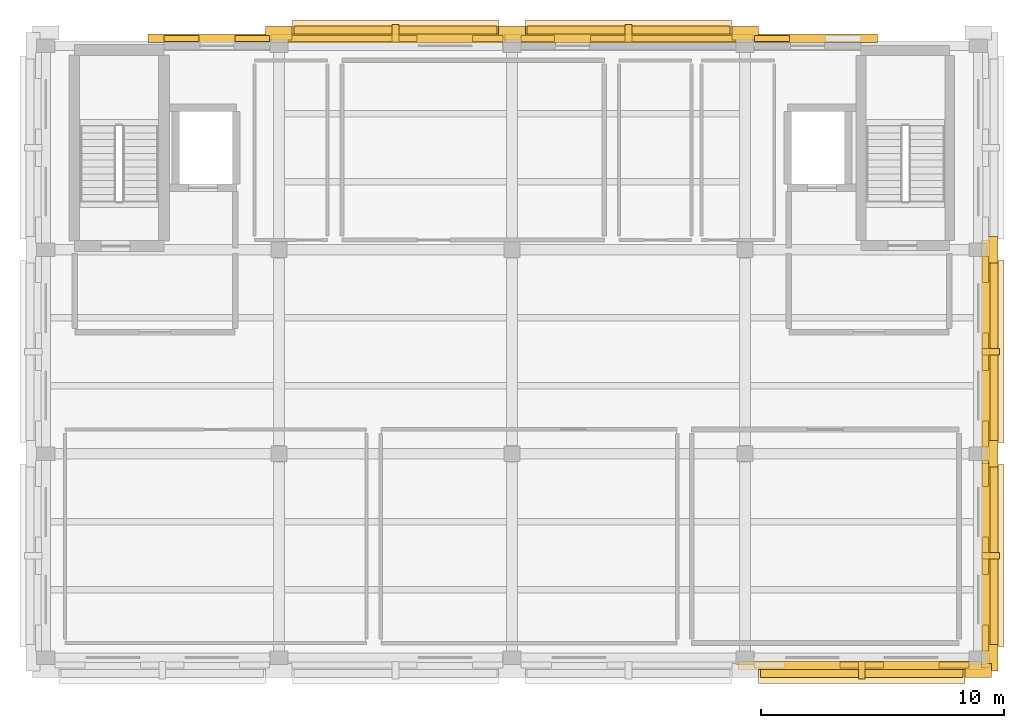
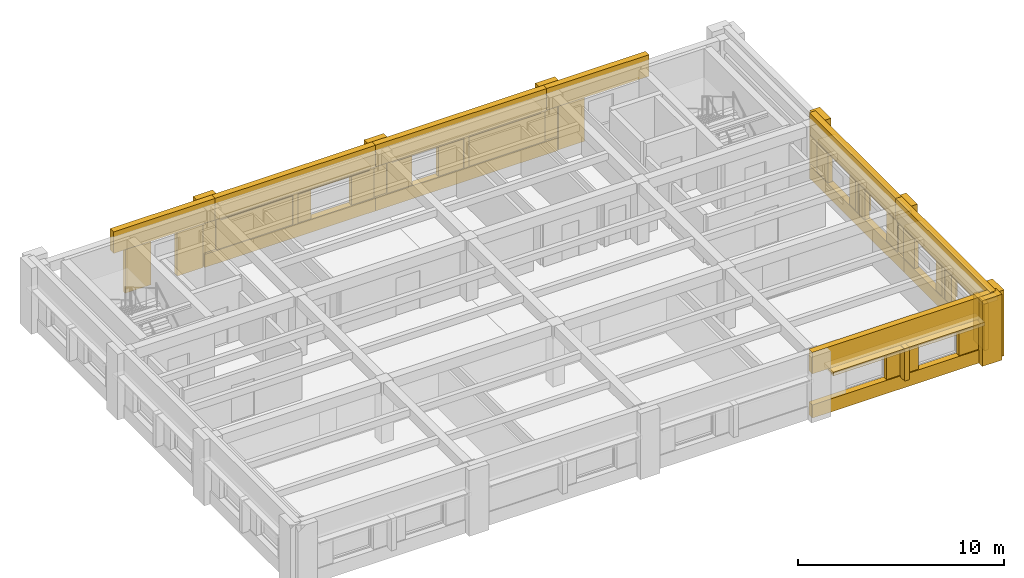
# One storey, part 6 of 7: 44 coverings, 5 shading devices.
"""IFC4 building model written with IfcOpenShell, lengths in metres."""

from ifc_helpers import new_model, si_unit, direction, frame, origin, origin_2d, place, context, subcontext, project, spatial, rectangle, extrude, material, layer, layer_set, type_object, element, save


model = new_model("IFC4")

# Units and contexts
model_context = context("Model", 3, precision=1e-05, world=origin(), true_north=direction((0.0, 1.0)))
body_context = subcontext(model_context, "Body", "Model", "MODEL_VIEW")
ifc_project = project(units=[si_unit("LENGTHUNIT", "METRE"), si_unit("AREAUNIT", "SQUARE_METRE"), si_unit("VOLUMEUNIT", "CUBIC_METRE"), si_unit("PLANEANGLEUNIT", "RADIAN"), si_unit("MASSUNIT", "GRAM", prefix="KILO")], contexts=[model_context])

# Site, building, storey
site_placement = place(None, origin())
site = spatial("IfcSite", under=ifc_project, at=site_placement, CompositionType="ELEMENT")
building_placement = place(site_placement, origin())
building = spatial("IfcBuilding", under=site, at=building_placement, Name="Bempovik Park Faculty of Sciences", CompositionType="ELEMENT")
storey_placement = place(building_placement, frame((0.0, 0.0, 42.300048828125)))
storey = spatial("IfcBuildingStorey", under=building, at=storey_placement, Name="L10", CompositionType="ELEMENT", Elevation=42.300048828125)

# Coverings
ifc_material_1 = material(Name="Precast concrete C40/50", Category="concrete")
ifc_layer_1 = layer(ifc_material_1, 0.179931640625)
ifc_layer_set_1 = layer_set([ifc_layer_1], Name="Precast concrete C40/50")
covering_type_1 = type_object("IfcCoveringType", Name="CL-02 Classical Cornice Band 180mm", PredefinedType="CLADDING", material=ifc_layer_set_1)
for number, where, z_axis, x_axis, name in (
    (1, (108.60009765625, 98.39990234375, 2.60986328125), (0.0, 0.0, 1.0), (1.0, 0.0, 0.0), "L10 Classical Stone Solar Window Hood EW-L10-11137"),
    (2, (108.60009765625, 106.800048828125, 2.60986328125), (0.0, 0.0, 1.0), (1.0, 0.0, 0.0), "L10 Classical Stone Solar Window Hood EW-L10-11150"),
):
    element("IfcCovering", number, at=place(storey_placement, frame(where, z_axis=z_axis, x_axis=x_axis)), inside=storey, type_object=covering_type_1, Name=name, PredefinedType="CLADDING", context=body_context, shape_type="SweptSolid", body=[
        extrude(rectangle(XDim=0.919921875, YDim=7.49609375, at=origin_2d()), origin(), (0.0, 0.0, 1.0), 0.219970703125),
    ])
for number, where, z_axis, x_axis, name in (
    (3, (84.0, 120.0, 2.56005859375), (0.0, 0.0, 1.0), (1.0, 0.0, 0.0), "L10 Classical Stone Solar Window Hood EW-L10-11181"),
    (4, (93.60009765625, 120.0, 2.60986328125), (0.0, 0.0, 1.0), (1.0, 0.0, 0.0), "L10 Classical Stone Solar Window Hood EW-L10-11191"),
    (5, (103.199951171875, 93.60009765625, 2.56005859375), (0.0, 0.0, 1.0), (1.0, 0.0, 0.0), "L10 Classical Stone Solar Window Hood EW-L10-11277"),
):
    element("IfcCovering", number, at=place(storey_placement, frame(where, z_axis=z_axis, x_axis=x_axis)), inside=storey, type_object=covering_type_1, Name=name, PredefinedType="CLADDING", context=body_context, shape_type="SweptSolid", body=[
        extrude(rectangle(XDim=8.49609375, YDim=0.919921875, at=origin_2d()), origin(), (0.0, 0.0, 1.0), 0.219970703125),
    ])
ifc_material_2 = material(Name="White reconstituted limestone precast C40/50", Category="masonry")
ifc_layer_2 = layer(ifc_material_2, 0.239990234375)
ifc_layer_set_2 = layer_set([ifc_layer_2], Name="White reconstituted limestone precast C40/50")
covering_type_2 = type_object("IfcCoveringType", Name="CL-03 Classical Fluted Limestone Pilaster 240mm", PredefinedType="CLADDING", material=ifc_layer_set_2)
covering_1_placement = place(storey_placement, frame((108.31005859375, 98.39990234375, 2.6201171875), z_axis=(0.0, 0.0, 1.0), x_axis=(1.0, 0.0, 0.0)))
element("IfcCovering", 6, at=covering_1_placement, inside=storey, type_object=covering_type_2, Name="L10 Classical Limestone Spandrel Entablature EW-L10-11137", PredefinedType="CLADDING", context=body_context, shape_type="SweptSolid", body=[
    extrude(rectangle(XDim=0.340087890625, YDim=9.196044921875, at=origin_2d()), origin(), (0.0, 0.0, 1.0), 1.280029296875),
])
covering_2_placement = place(storey_placement, frame((108.31005859375, 98.39990234375, 0.0), z_axis=(0.0, 0.0, 1.0), x_axis=(1.0, 0.0, 0.0)))
element("IfcCovering", 7, at=covering_2_placement, inside=storey, type_object=covering_type_2, Name="L10 Classical Limestone Sill Dado EW-L10-11137", PredefinedType="CLADDING", context=body_context, shape_type="SweptSolid", body=[
    extrude(rectangle(XDim=0.340087890625, YDim=9.196044921875, at=origin_2d()), origin(), (0.0, 0.0, 1.0), 0.780029296875),
])
for number, where, z_axis, x_axis, name in (
    (8, (108.530029296875, 94.199951171875, 0.0), (0.0, 0.0, 1.0), (1.0, 0.0, 0.0), "L10 Classical Fluted Stone Pilaster PIL-BA-L10-1085-942"),
    (9, (108.530029296875, 102.60009765625, 0.0), (0.0, 0.0, 1.0), (1.0, 0.0, 0.0), "L10 Classical Fluted Stone Pilaster PIL-BA-L10-1085-1026"),
):
    element("IfcCovering", number, at=place(storey_placement, frame(where, z_axis=z_axis, x_axis=x_axis)), inside=storey, type_object=covering_type_2, Name=name, PredefinedType="CLADDING", context=body_context, shape_type="SweptSolid", body=[
        extrude(rectangle(XDim=0.580078125, YDim=1.10009765625, at=origin_2d()), origin(), (0.0, 0.0, 1.0), 3.89990234375),
    ])
covering_3_placement = place(storey_placement, frame((108.300048828125, 95.01611328125, 0.0), z_axis=(0.0, 0.0, 1.0), x_axis=(1.0, 0.0, 0.0)))
element("IfcCovering", 10, at=covering_3_placement, inside=storey, type_object=covering_type_2, Name="L10 White Limestone Wall Cheek EW-L10-11137-0", PredefinedType="CLADDING", context=body_context, shape_type="SweptSolid", body=[
    extrude(rectangle(XDim=0.239990234375, YDim=1.078369140625, at=origin_2d()), origin(), (0.0, 0.0, 1.0), 2.780029296875),
])
covering_4_placement = place(storey_placement, frame((108.300048828125, 98.39990234375, 0.0), z_axis=(0.0, 0.0, 1.0), x_axis=(1.0, 0.0, 0.0)))
element("IfcCovering", 11, at=covering_4_placement, inside=storey, type_object=covering_type_2, Name="L10 White Limestone Wall Cheek EW-L10-11137-2", PredefinedType="CLADDING", context=body_context, shape_type="SweptSolid", body=[
    extrude(rectangle(XDim=0.239990234375, YDim=1.529296875, at=origin_2d()), origin(), (0.0, 0.0, 1.0), 2.780029296875),
])
covering_5_placement = place(storey_placement, frame((108.300048828125, 101.78369140625, 0.0), z_axis=(0.0, 0.0, 1.0), x_axis=(1.0, 0.0, 0.0)))
element("IfcCovering", 12, at=covering_5_placement, inside=storey, type_object=covering_type_2, Name="L10 White Limestone Wall Cheek EW-L10-11137-4", PredefinedType="CLADDING", context=body_context, shape_type="SweptSolid", body=[
    extrude(rectangle(XDim=0.239990234375, YDim=1.078369140625, at=origin_2d()), origin(), (0.0, 0.0, 1.0), 2.780029296875),
])
covering_6_placement = place(storey_placement, frame((108.510009765625, 98.39990234375, 0.7001953125), z_axis=(0.0, 0.0, 1.0), x_axis=(1.0, 0.0, 0.0)))
element("IfcCovering", 13, at=covering_6_placement, inside=storey, type_object=covering_type_2, Name="L10 Classical Vertical Stone Shading Fin EW-L10-11137", PredefinedType="CLADDING", context=body_context, shape_type="SweptSolid", body=[
    extrude(rectangle(XDim=0.719970703125, YDim=0.280029296875, at=origin_2d()), origin(), (0.0, 0.0, 1.0), 1.949951171875),
])
covering_7_placement = place(storey_placement, frame((108.31005859375, 106.800048828125, 2.6201171875), z_axis=(0.0, 0.0, 1.0), x_axis=(1.0, 0.0, 0.0)))
element("IfcCovering", 14, at=covering_7_placement, inside=storey, type_object=covering_type_2, Name="L10 Classical Limestone Spandrel Entablature EW-L10-11150", PredefinedType="CLADDING", context=body_context, shape_type="SweptSolid", body=[
    extrude(rectangle(XDim=0.340087890625, YDim=9.196044921875, at=origin_2d()), origin(), (0.0, 0.0, 1.0), 1.280029296875),
])
covering_8_placement = place(storey_placement, frame((108.31005859375, 106.800048828125, 0.0), z_axis=(0.0, 0.0, 1.0), x_axis=(1.0, 0.0, 0.0)))
element("IfcCovering", 15, at=covering_8_placement, inside=storey, type_object=covering_type_2, Name="L10 Classical Limestone Sill Dado EW-L10-11150", PredefinedType="CLADDING", context=body_context, shape_type="SweptSolid", body=[
    extrude(rectangle(XDim=0.340087890625, YDim=9.196044921875, at=origin_2d()), origin(), (0.0, 0.0, 1.0), 0.780029296875),
])
covering_9_placement = place(storey_placement, frame((108.530029296875, 111.0, 0.0), z_axis=(0.0, 0.0, 1.0), x_axis=(1.0, 0.0, 0.0)))
element("IfcCovering", 16, at=covering_9_placement, inside=storey, type_object=covering_type_2, Name="L10 Classical Fluted Stone Pilaster PIL-BA-L10-1085-1110", PredefinedType="CLADDING", context=body_context, shape_type="SweptSolid", body=[
    extrude(rectangle(XDim=0.580078125, YDim=1.10009765625, at=origin_2d()), origin(), (0.0, 0.0, 1.0), 3.89990234375),
])
covering_10_placement = place(storey_placement, frame((108.300048828125, 103.416259765625, 0.0), z_axis=(0.0, 0.0, 1.0), x_axis=(1.0, 0.0, 0.0)))
element("IfcCovering", 17, at=covering_10_placement, inside=storey, type_object=covering_type_2, Name="L10 White Limestone Wall Cheek EW-L10-11150-0", PredefinedType="CLADDING", context=body_context, shape_type="SweptSolid", body=[
    extrude(rectangle(XDim=0.239990234375, YDim=1.078369140625, at=origin_2d()), origin(), (0.0, 0.0, 1.0), 2.780029296875),
])
covering_11_placement = place(storey_placement, frame((108.300048828125, 106.800048828125, 0.0), z_axis=(0.0, 0.0, 1.0), x_axis=(1.0, 0.0, 0.0)))
element("IfcCovering", 18, at=covering_11_placement, inside=storey, type_object=covering_type_2, Name="L10 White Limestone Wall Cheek EW-L10-11150-2", PredefinedType="CLADDING", context=body_context, shape_type="SweptSolid", body=[
    extrude(rectangle(XDim=0.239990234375, YDim=1.529296875, at=origin_2d()), origin(), (0.0, 0.0, 1.0), 2.780029296875),
])
covering_12_placement = place(storey_placement, frame((108.300048828125, 110.183837890625, 0.0), z_axis=(0.0, 0.0, 1.0), x_axis=(1.0, 0.0, 0.0)))
element("IfcCovering", 19, at=covering_12_placement, inside=storey, type_object=covering_type_2, Name="L10 White Limestone Wall Cheek EW-L10-11150-4", PredefinedType="CLADDING", context=body_context, shape_type="SweptSolid", body=[
    extrude(rectangle(XDim=0.239990234375, YDim=1.078369140625, at=origin_2d()), origin(), (0.0, 0.0, 1.0), 2.780029296875),
])
covering_13_placement = place(storey_placement, frame((108.510009765625, 106.800048828125, 0.7001953125), z_axis=(0.0, 0.0, 1.0), x_axis=(1.0, 0.0, 0.0)))
element("IfcCovering", 20, at=covering_13_placement, inside=storey, type_object=covering_type_2, Name="L10 Classical Vertical Stone Shading Fin EW-L10-11150", PredefinedType="CLADDING", context=body_context, shape_type="SweptSolid", body=[
    extrude(rectangle(XDim=0.719970703125, YDim=0.280029296875, at=origin_2d()), origin(), (0.0, 0.0, 1.0), 1.949951171875),
])
covering_14_placement = place(storey_placement, frame((76.6494140625, 119.7099609375, 2.6201171875), z_axis=(0.0, 0.0, 1.0), x_axis=(1.0, 0.0, 0.0)))
element("IfcCovering", 21, at=covering_14_placement, inside=storey, type_object=covering_type_2, Name="L10 Classical Limestone Spandrel Entablature EW-L10-11174", PredefinedType="CLADDING", context=body_context, shape_type="SweptSolid", body=[
    extrude(rectangle(XDim=5.697021484375, YDim=0.340087890625, at=origin_2d()), origin(), (0.0, 0.0, 1.0), 1.280029296875),
])
covering_15_placement = place(storey_placement, frame((79.199951171875, 119.929931640625, 0.0), z_axis=(0.0, 0.0, 1.0), x_axis=(1.0, 0.0, 0.0)))
element("IfcCovering", 22, at=covering_15_placement, inside=storey, type_object=covering_type_2, Name="L10 Classical Fluted Stone Pilaster PIL-BA-L10-792-1199", PredefinedType="CLADDING", context=body_context, shape_type="SweptSolid", body=[
    extrude(rectangle(XDim=1.10009765625, YDim=0.580078125, at=origin_2d()), origin(), (0.0, 0.0, 1.0), 3.89990234375),
])
for number, where, z_axis, x_axis, name in (
    (23, (75.19287109375, 119.699951171875, 0.0), (0.0, 0.0, 1.0), (1.0, 0.0, 0.0), "L10 Stairwell White Limestone Cheek EW-L10-11174-1"),
    (24, (78.106201171875, 119.699951171875, 0.0), (0.0, 0.0, 1.0), (1.0, 0.0, 0.0), "L10 Stairwell White Limestone Cheek EW-L10-11174-2"),
):
    element("IfcCovering", number, at=place(storey_placement, frame(where, z_axis=z_axis, x_axis=x_axis)), inside=storey, type_object=covering_type_2, Name=name, PredefinedType="CLADDING", context=body_context, shape_type="SweptSolid", body=[
        extrude(rectangle(XDim=1.43359375, YDim=0.239990234375, at=origin_2d()), origin(), (0.0, 0.0, 1.0), 2.780029296875),
    ])
covering_16_placement = place(storey_placement, frame((84.0, 119.7099609375, 2.6201171875), z_axis=(0.0, 0.0, 1.0), x_axis=(1.0, 0.0, 0.0)))
element("IfcCovering", 25, at=covering_16_placement, inside=storey, type_object=covering_type_2, Name="L10 Classical Limestone Spandrel Entablature EW-L10-11181", PredefinedType="CLADDING", context=body_context, shape_type="SweptSolid", body=[
    extrude(rectangle(XDim=10.196044921875, YDim=0.340087890625, at=origin_2d()), origin(), (0.0, 0.0, 1.0), 1.280029296875),
])
covering_17_placement = place(storey_placement, frame((84.0, 119.7099609375, 0.0), z_axis=(0.0, 0.0, 1.0), x_axis=(1.0, 0.0, 0.0)))
element("IfcCovering", 26, at=covering_17_placement, inside=storey, type_object=covering_type_2, Name="L10 Classical Limestone Sill Dado EW-L10-11181", PredefinedType="CLADDING", context=body_context, shape_type="SweptSolid", body=[
    extrude(rectangle(XDim=10.196044921875, YDim=0.340087890625, at=origin_2d()), origin(), (0.0, 0.0, 1.0), 0.780029296875),
])
covering_18_placement = place(storey_placement, frame((88.800048828125, 119.929931640625, 0.0), z_axis=(0.0, 0.0, 1.0), x_axis=(1.0, 0.0, 0.0)))
element("IfcCovering", 27, at=covering_18_placement, inside=storey, type_object=covering_type_2, Name="L10 Classical Fluted Stone Pilaster PIL-BA-L10-888-1199", PredefinedType="CLADDING", context=body_context, shape_type="SweptSolid", body=[
    extrude(rectangle(XDim=1.10009765625, YDim=0.580078125, at=origin_2d()), origin(), (0.0, 0.0, 1.0), 3.89990234375),
])
covering_19_placement = place(storey_placement, frame((82.23583984375, 119.699951171875, 0.0), z_axis=(0.0, 0.0, 1.0), x_axis=(1.0, 0.0, 0.0)))
element("IfcCovering", 28, at=covering_19_placement, inside=storey, type_object=covering_type_2, Name="L10 White Limestone Wall Cheek EW-L10-11181-0", PredefinedType="CLADDING", context=body_context, shape_type="SweptSolid", body=[
    extrude(rectangle(XDim=5.317626953125, YDim=0.239990234375, at=origin_2d()), origin(), (0.0, 0.0, 1.0), 2.780029296875),
])
covering_20_placement = place(storey_placement, frame((87.798828125, 119.699951171875, 0.0), z_axis=(0.0, 0.0, 1.0), x_axis=(1.0, 0.0, 0.0)))
element("IfcCovering", 29, at=covering_20_placement, inside=storey, type_object=covering_type_2, Name="L10 White Limestone Wall Cheek EW-L10-11181-2", PredefinedType="CLADDING", context=body_context, shape_type="SweptSolid", body=[
    extrude(rectangle(XDim=1.248291015625, YDim=0.239990234375, at=origin_2d()), origin(), (0.0, 0.0, 1.0), 2.780029296875),
])
covering_21_placement = place(storey_placement, frame((84.0, 119.909912109375, 0.699951171875), z_axis=(0.0, 0.0, 1.0), x_axis=(1.0, 0.0, 0.0)))
element("IfcCovering", 30, at=covering_21_placement, inside=storey, type_object=covering_type_2, Name="L10 Classical Vertical Stone Shading Fin EW-L10-11181", PredefinedType="CLADDING", context=body_context, shape_type="SweptSolid", body=[
    extrude(rectangle(XDim=0.280029296875, YDim=0.719970703125, at=origin_2d()), origin(), (0.0, 0.0, 1.0), 1.89990234375),
])
covering_22_placement = place(storey_placement, frame((93.60009765625, 119.7099609375, 2.6201171875), z_axis=(0.0, 0.0, 1.0), x_axis=(1.0, 0.0, 0.0)))
element("IfcCovering", 31, at=covering_22_placement, inside=storey, type_object=covering_type_2, Name="L10 Classical Limestone Spandrel Entablature EW-L10-11191", PredefinedType="CLADDING", context=body_context, shape_type="SweptSolid", body=[
    extrude(rectangle(XDim=10.196044921875, YDim=0.340087890625, at=origin_2d()), origin(), (0.0, 0.0, 1.0), 1.280029296875),
])
covering_23_placement = place(storey_placement, frame((93.60009765625, 119.7099609375, 0.0), z_axis=(0.0, 0.0, 1.0), x_axis=(1.0, 0.0, 0.0)))
element("IfcCovering", 32, at=covering_23_placement, inside=storey, type_object=covering_type_2, Name="L10 Classical Limestone Sill Dado EW-L10-11191", PredefinedType="CLADDING", context=body_context, shape_type="SweptSolid", body=[
    extrude(rectangle(XDim=10.196044921875, YDim=0.340087890625, at=origin_2d()), origin(), (0.0, 0.0, 1.0), 0.780029296875),
])
covering_24_placement = place(storey_placement, frame((98.39990234375, 119.929931640625, 0.0), z_axis=(0.0, 0.0, 1.0), x_axis=(1.0, 0.0, 0.0)))
element("IfcCovering", 33, at=covering_24_placement, inside=storey, type_object=covering_type_2, Name="L10 Classical Fluted Stone Pilaster PIL-BA-L10-984-1199", PredefinedType="CLADDING", context=body_context, shape_type="SweptSolid", body=[
    extrude(rectangle(XDim=1.10009765625, YDim=0.580078125, at=origin_2d()), origin(), (0.0, 0.0, 1.0), 3.89990234375),
])
covering_25_placement = place(storey_placement, frame((89.868408203125, 119.699951171875, 0.0), z_axis=(0.0, 0.0, 1.0), x_axis=(1.0, 0.0, 0.0)))
element("IfcCovering", 34, at=covering_25_placement, inside=storey, type_object=covering_type_2, Name="L10 White Limestone Wall Cheek EW-L10-11191-0", PredefinedType="CLADDING", context=body_context, shape_type="SweptSolid", body=[
    extrude(rectangle(XDim=1.383056640625, YDim=0.239990234375, at=origin_2d()), origin(), (0.0, 0.0, 1.0), 2.780029296875),
])
covering_26_placement = place(storey_placement, frame((95.031494140625, 119.699951171875, 0.0), z_axis=(0.0, 0.0, 1.0), x_axis=(1.0, 0.0, 0.0)))
element("IfcCovering", 35, at=covering_26_placement, inside=storey, type_object=covering_type_2, Name="L10 White Limestone Wall Cheek EW-L10-11191-2", PredefinedType="CLADDING", context=body_context, shape_type="SweptSolid", body=[
    extrude(rectangle(XDim=5.98291015625, YDim=0.239990234375, at=origin_2d()), origin(), (0.0, 0.0, 1.0), 2.780029296875),
])
covering_27_placement = place(storey_placement, frame((93.60009765625, 119.909912109375, 0.7001953125), z_axis=(0.0, 0.0, 1.0), x_axis=(1.0, 0.0, 0.0)))
element("IfcCovering", 36, at=covering_27_placement, inside=storey, type_object=covering_type_2, Name="L10 Classical Vertical Stone Shading Fin EW-L10-11191", PredefinedType="CLADDING", context=body_context, shape_type="SweptSolid", body=[
    extrude(rectangle(XDim=0.280029296875, YDim=0.719970703125, at=origin_2d()), origin(), (0.0, 0.0, 1.0), 1.949951171875),
])
covering_28_placement = place(storey_placement, frame((100.9755859375, 119.7099609375, 2.6201171875), z_axis=(0.0, 0.0, 1.0), x_axis=(1.0, 0.0, 0.0)))
element("IfcCovering", 37, at=covering_28_placement, inside=storey, type_object=covering_type_2, Name="L10 Classical Limestone Spandrel Entablature EW-L10-11201", PredefinedType="CLADDING", context=body_context, shape_type="SweptSolid", body=[
    extrude(rectangle(XDim=5.7470703125, YDim=0.340087890625, at=origin_2d()), origin(), (0.0, 0.0, 1.0), 1.280029296875),
])
covering_29_placement = place(storey_placement, frame((99.506103515625, 119.699951171875, 0.0), z_axis=(0.0, 0.0, 1.0), x_axis=(1.0, 0.0, 0.0)))
element("IfcCovering", 38, at=covering_29_placement, inside=storey, type_object=covering_type_2, Name="L10 Stairwell White Limestone Cheek EW-L10-11201-1", PredefinedType="CLADDING", context=body_context, shape_type="SweptSolid", body=[
    extrude(rectangle(XDim=1.45849609375, YDim=0.239990234375, at=origin_2d()), origin(), (0.0, 0.0, 1.0), 2.780029296875),
])
covering_30_placement = place(storey_placement, frame((103.199951171875, 93.889892578125, 2.6201171875), z_axis=(0.0, 0.0, 1.0), x_axis=(1.0, 0.0, 0.0)))
element("IfcCovering", 39, at=covering_30_placement, inside=storey, type_object=covering_type_2, Name="L10 Classical Limestone Spandrel Entablature EW-L10-11277", PredefinedType="CLADDING", context=body_context, shape_type="SweptSolid", body=[
    extrude(rectangle(XDim=10.196044921875, YDim=0.340087890625, at=origin_2d()), origin(), (0.0, 0.0, 1.0), 1.280029296875),
])
covering_31_placement = place(storey_placement, frame((103.199951171875, 93.889892578125, 0.0), z_axis=(0.0, 0.0, 1.0), x_axis=(1.0, 0.0, 0.0)))
element("IfcCovering", 40, at=covering_31_placement, inside=storey, type_object=covering_type_2, Name="L10 Classical Limestone Sill Dado EW-L10-11277", PredefinedType="CLADDING", context=body_context, shape_type="SweptSolid", body=[
    extrude(rectangle(XDim=10.196044921875, YDim=0.340087890625, at=origin_2d()), origin(), (0.0, 0.0, 1.0), 0.780029296875),
])
covering_32_placement = place(storey_placement, frame((108.0, 93.669921875, 0.0), z_axis=(0.0, 0.0, 1.0), x_axis=(1.0, 0.0, 0.0)))
element("IfcCovering", 41, at=covering_32_placement, inside=storey, type_object=covering_type_2, Name="L10 Classical Fluted Stone Pilaster PIL-BA-L10-1080-937", PredefinedType="CLADDING", context=body_context, shape_type="SweptSolid", body=[
    extrude(rectangle(XDim=1.10009765625, YDim=0.580078125, at=origin_2d()), origin(), (0.0, 0.0, 1.0), 3.89990234375),
])
covering_33_placement = place(storey_placement, frame((103.199951171875, 93.89990234375, 0.0), z_axis=(0.0, 0.0, 1.0), x_axis=(1.0, 0.0, 0.0)))
element("IfcCovering", 42, at=covering_33_placement, inside=storey, type_object=covering_type_2, Name="L10 White Limestone Wall Cheek EW-L10-11277-2", PredefinedType="CLADDING", context=body_context, shape_type="SweptSolid", body=[
    extrude(rectangle(XDim=1.789306640625, YDim=0.239990234375, at=origin_2d()), origin(), (0.0, 0.0, 1.0), 2.780029296875),
])
covering_34_placement = place(storey_placement, frame((106.998779296875, 93.89990234375, 0.0), z_axis=(0.0, 0.0, 1.0), x_axis=(1.0, 0.0, 0.0)))
element("IfcCovering", 43, at=covering_34_placement, inside=storey, type_object=covering_type_2, Name="L10 White Limestone Wall Cheek EW-L10-11277-4", PredefinedType="CLADDING", context=body_context, shape_type="SweptSolid", body=[
    extrude(rectangle(XDim=1.248291015625, YDim=0.239990234375, at=origin_2d()), origin(), (0.0, 0.0, 1.0), 2.780029296875),
])
covering_35_placement = place(storey_placement, frame((103.199951171875, 93.68994140625, 0.699951171875), z_axis=(0.0, 0.0, 1.0), x_axis=(1.0, 0.0, 0.0)))
element("IfcCovering", 44, at=covering_35_placement, inside=storey, type_object=covering_type_2, Name="L10 Classical Vertical Stone Shading Fin EW-L10-11277", PredefinedType="CLADDING", context=body_context, shape_type="SweptSolid", body=[
    extrude(rectangle(XDim=0.280029296875, YDim=0.719970703125, at=origin_2d()), origin(), (0.0, 0.0, 1.0), 1.89990234375),
])

# Shading devices
ifc_material_3 = material(Name="Anodised architectural bronze")
ifc_layer_3 = layer(ifc_material_3, 0.06005859375)
ifc_layer_set_3 = layer_set([ifc_layer_3], Name="Anodised architectural bronze")
shading_device_type = type_object("IfcShadingDeviceType", Name="SH-01 Bronze Brise-Soleil Fin", PredefinedType="USERDEFINED", material=ifc_layer_set_3)
for number, where, z_axis, x_axis, name in (
    (45, (108.47998046875, 98.39990234375, 2.5498046875), (0.0, 0.0, 1.0), (1.0, 0.0, 0.0), "L10 Equatorial Bronze Brise-Soleil EW-L10-11137"),
    (46, (108.47998046875, 106.800048828125, 2.5498046875), (0.0, 0.0, 1.0), (1.0, 0.0, 0.0), "L10 Equatorial Bronze Brise-Soleil EW-L10-11150"),
):
    element("IfcShadingDevice", number, at=place(storey_placement, frame(where, z_axis=z_axis, x_axis=x_axis)), inside=storey, type_object=shading_device_type, Name=name, ObjectType="BRISE SOLEIL", PredefinedType="USERDEFINED", context=body_context, shape_type="SweptSolid", body=[
        extrude(rectangle(XDim=0.64990234375, YDim=7.345947265625, at=origin_2d()), origin(), (0.0, 0.0, 1.0), 0.06005859375),
    ])
for number, where, z_axis, x_axis, name in (
    (47, (84.0, 119.8798828125, 2.5), (0.0, 0.0, 1.0), (1.0, 0.0, 0.0), "L10 Equatorial Bronze Brise-Soleil EW-L10-11181"),
    (48, (93.60009765625, 119.8798828125, 2.5498046875), (0.0, 0.0, 1.0), (1.0, 0.0, 0.0), "L10 Equatorial Bronze Brise-Soleil EW-L10-11191"),
    (49, (103.199951171875, 93.719970703125, 2.5), (0.0, 0.0, 1.0), (1.0, 0.0, 0.0), "L10 Equatorial Bronze Brise-Soleil EW-L10-11277"),
):
    element("IfcShadingDevice", number, at=place(storey_placement, frame(where, z_axis=z_axis, x_axis=x_axis)), inside=storey, type_object=shading_device_type, Name=name, ObjectType="BRISE SOLEIL", PredefinedType="USERDEFINED", context=body_context, shape_type="SweptSolid", body=[
        extrude(rectangle(XDim=8.345947265625, YDim=0.64990234375, at=origin_2d()), origin(), (0.0, 0.0, 1.0), 0.06005859375),
    ])

save(model, "model.ifc")
